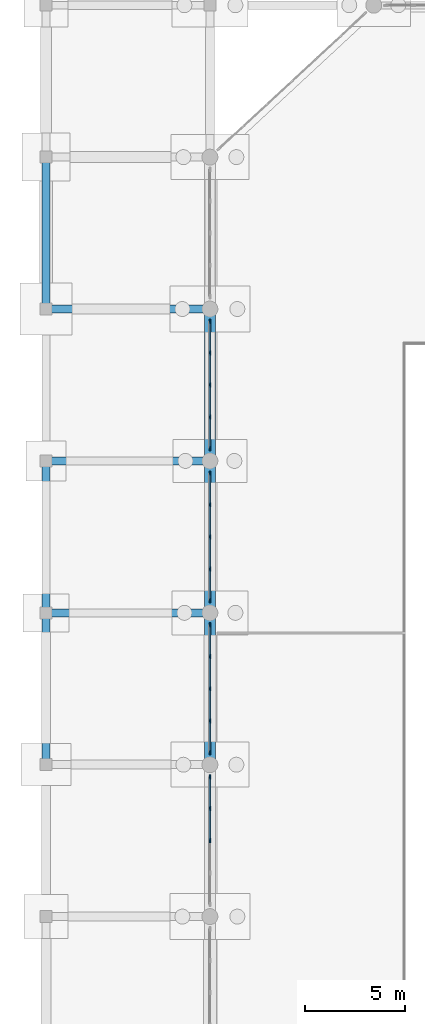
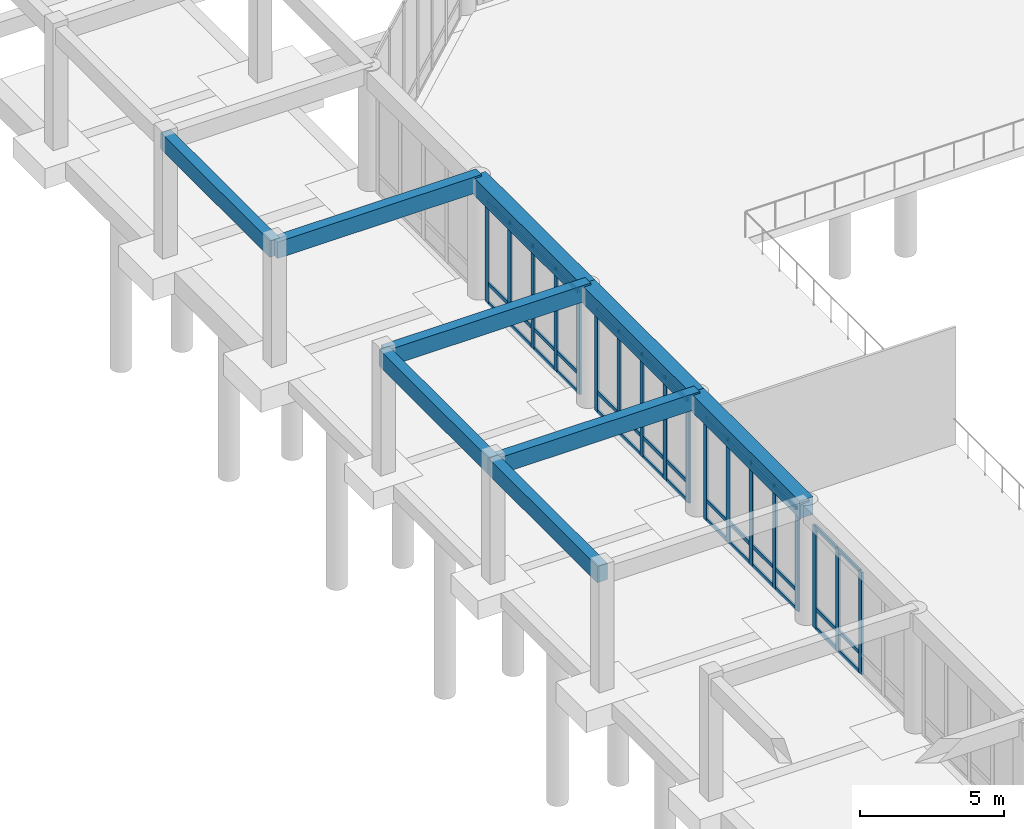
# One storey, part 20 of 64: 60 members, 9 beams, 4 elements without a shape of their own.
"""IFC4 building model written with IfcOpenShell, lengths in metres."""

import ifcopenshell
import ifcopenshell.guid

model = None  # the IFC model being written
_history = None  # IfcOwnerHistory: only IFC2X3 demands one
_inside = {}  # id of a spatial element -> (the spatial element, [elements in it])
_under = {}  # id of a project, library or spatial element -> (it, [spatial elements below it])
_declared = {}  # id of a project -> (the project, [libraries it declares])
_typed = {}  # id of a type object -> (the type object, [elements of that type])
_made_of = {}  # id of a material, layer set ... -> (it, [elements and type objects made of it])


def new_model(schema):
    """Start an empty IFC model of exactly this schema.

    Asked for "IFC4X3", IfcOpenShell would pick the latest addendum, in which some entities
    have other attributes; the version numbers below select the first issue.
    IFC2X3 requires an IfcOwnerHistory on every rooted entity: one is made here for all.
    """
    global model, _history
    if schema == "IFC4X3":
        model = ifcopenshell.file(schema_version=(4, 3, 0, 0))
    else:
        model = ifcopenshell.file(schema=schema)
    _inside.clear()
    _under.clear()
    _declared.clear()
    _typed.clear()
    _made_of.clear()
    _history = None
    if model.schema == "IFC2X3":
        org = make("IfcOrganization", Name="unknown")
        user = make(
            "IfcPersonAndOrganization",
            ThePerson=make("IfcPerson", FamilyName="unknown"),
            TheOrganization=org,
        )
        app = make(
            "IfcApplication",
            ApplicationDeveloper=org,
            Version="unknown",
            ApplicationFullName="unknown",
            ApplicationIdentifier="unknown",
        )
        _history = make(
            "IfcOwnerHistory",
            OwningUser=user,
            OwningApplication=app,
            ChangeAction="ADDED",
            CreationDate=0,
        )
    return model


def make(cls, **values):
    """One entity of the class cls with the attributes given. An attribute that is None is left unset."""
    return model.create_entity(
        cls, **{name: value for name, value in values.items() if value is not None}
    )


def rooted(cls, **values):
    """An entity with a GlobalId (a new one), such as an element, a storey or a relation."""
    return make(cls, GlobalId=ifcopenshell.guid.new(), OwnerHistory=_history, **values)


def si_unit(unit_type, name, prefix=None):
    """IfcSIUnit, for example si_unit("LENGTHUNIT", "METRE", prefix="MILLI")."""
    return make("IfcSIUnit", UnitType=unit_type, Prefix=prefix, Name=name)


def assignment(units):
    """IfcUnitAssignment: the units of a project."""
    return None if units is None else make("IfcUnitAssignment", Units=units)


def point(xyz):
    """IfcCartesianPoint."""
    return None if xyz is None else make("IfcCartesianPoint", Coordinates=xyz)


def direction(xyz):
    """IfcDirection."""
    return None if xyz is None else make("IfcDirection", DirectionRatios=xyz)


def frame(location, z_axis=None, x_axis=None):
    """IfcAxis2Placement3D, a coordinate frame: its origin and axes. An axis left out is left unset."""
    return make(
        "IfcAxis2Placement3D",
        Location=point(location),
        Axis=direction(z_axis),
        RefDirection=direction(x_axis),
    )


def frame_2d(location, x_axis=None):
    """IfcAxis2Placement2D, a coordinate frame in the plane: its origin and x axis."""
    return make(
        "IfcAxis2Placement2D", Location=point(location), RefDirection=direction(x_axis)
    )


def origin():
    """The frame at (0, 0, 0) with its axes left unset."""
    return frame((0.0, 0.0, 0.0))


def origin_2d():
    """The frame at (0, 0) in the plane with its x axis left unset."""
    return frame_2d((0.0, 0.0))


def place(relative_to, where):
    """IfcLocalPlacement: puts the frame where relative to a parent placement (None: the world)."""
    return make(
        "IfcLocalPlacement", PlacementRelTo=relative_to, RelativePlacement=where
    )


def context(
    kind, dimensions, precision=None, world=None, true_north=None, identifier=None
):
    """IfcGeometricRepresentationContext, for example the 3D "Model" context."""
    return make(
        "IfcGeometricRepresentationContext",
        ContextIdentifier=identifier,
        ContextType=kind,
        CoordinateSpaceDimension=dimensions,
        Precision=precision,
        WorldCoordinateSystem=world,
        TrueNorth=true_north,
    )


def subcontext(parent, identifier, kind, view, scale=None):
    """IfcGeometricRepresentationSubContext, for example "Body" below "Model"."""
    return make(
        "IfcGeometricRepresentationSubContext",
        ContextIdentifier=identifier,
        ContextType=kind,
        ParentContext=parent,
        TargetScale=scale,
        TargetView=view,
    )


def project(units=None, contexts=None):
    """IfcProject with its units and contexts."""
    return rooted(
        "IfcProject",
        Name="project",
        RepresentationContexts=contexts,
        UnitsInContext=assignment(units),
    )


def spatial(cls, under=None, at=None, **own):
    """A site, building, storey or space (cls), placed at a placement, below another one or the project."""
    s = rooted(cls, ObjectPlacement=at, **own)
    if under is not None:
        _under.setdefault(under.id(), (under, []))[1].append(s)
    return s


def profile(cls, at=None, kind="AREA", **sizes):
    """A parametric profile (cls). Its sizes go by their IFC names, for example OverallWidth=200.0."""
    return make(cls, ProfileType=kind, Position=at, **sizes)


def rectangle(**sizes):
    """IfcRectangleProfileDef."""
    return profile("IfcRectangleProfileDef", **sizes)


def extrude(swept, where, along, depth):
    """IfcExtrudedAreaSolid: the profile swept, set in the frame where, extruded along a direction by depth."""
    return make(
        "IfcExtrudedAreaSolid",
        SweptArea=swept,
        Position=where,
        ExtrudedDirection=direction(along),
        Depth=depth,
    )


def shape(context_of_items, identifier, shape_type, items):
    """IfcShapeRepresentation: the items that make up one representation, for example the "Body"."""
    return make(
        "IfcShapeRepresentation",
        ContextOfItems=context_of_items,
        RepresentationIdentifier=identifier,
        RepresentationType=shape_type,
        Items=items,
    )


def material(Name=None, Category=None):
    """IfcMaterial."""
    return make("IfcMaterial", Name=Name, Category=Category)


def material_profile(
    of_material, cross_section, Name=None, Category=None, Priority=None
):
    """IfcMaterialProfile: a cross section and its material."""
    return make(
        "IfcMaterialProfile",
        Name=Name,
        Material=of_material,
        Profile=cross_section,
        Priority=Priority,
        Category=Category,
    )


def profile_set(profiles, Name=None, composite=None):
    """IfcMaterialProfileSet."""
    return make(
        "IfcMaterialProfileSet",
        Name=Name,
        MaterialProfiles=profiles,
        CompositeProfile=composite,
    )


def made_of(thing, what):
    """Note that an element or type object is made of a material, layer set ...; save() writes the relation."""
    if what is not None:
        _made_of.setdefault(what.id(), (what, []))[1].append(thing)
    return thing


def type_object(cls, material=None, **own):
    """A type object (cls), such as IfcWallType, which elements share."""
    return made_of(rooted(cls, **own), material)


def element(
    cls,
    number,
    at=None,
    inside=None,
    cuts=None,
    type_object=None,
    material=None,
    context=None,
    identifier="Body",
    shape_type=None,
    held_by="IfcProductDefinitionShape",
    body=None,
    shapes=None,
    **own,
):
    """One element of the class cls, such as IfcWall. Its Tag is "e" and its number.

    at: its placement. inside: the storey or other place that contains it. cuts: it is an
    opening in that element (IfcRelVoidsElement). A single representation is given by context,
    identifier, shape_type and body (its items); several are given by shapes. held_by: the class
    of the entity that holds the representations. save() writes the other relations.
    """
    e = rooted(cls, Tag="e%d" % number, ObjectPlacement=at, **own)
    if body is not None:
        shapes = [shape(context, identifier, shape_type, body)]
    if shapes is not None:
        e.Representation = make(held_by, Representations=shapes)
    if inside is not None:
        _inside.setdefault(inside.id(), (inside, []))[1].append(e)
    if cuts is not None:
        rooted(
            "IfcRelVoidsElement", RelatingBuildingElement=cuts, RelatedOpeningElement=e
        )
    if type_object is not None:
        _typed.setdefault(type_object.id(), (type_object, []))[1].append(e)
    return made_of(e, material)


def aggregate(whole, parts):
    """IfcRelAggregates: a whole, such as a stair, and the parts it consists of."""
    return rooted("IfcRelAggregates", RelatingObject=whole, RelatedObjects=parts)


def save(model, path):
    """Write the relations noted so far, then the file.

    IfcRelAggregates (storeys below a building ...), IfcRelContainedInSpatialStructure (elements
    in a storey), IfcRelDefinesByType, IfcRelAssociatesMaterial and IfcRelDeclares: one each for
    every whole, place, type object, material and project.
    """
    for whole, parts in _under.values():
        aggregate(whole, parts)
    for where, things in _inside.values():
        rooted(
            "IfcRelContainedInSpatialStructure",
            RelatedElements=things,
            RelatingStructure=where,
        )
    for kind, things in _typed.values():
        rooted("IfcRelDefinesByType", RelatedObjects=things, RelatingType=kind)
    for what, things in _made_of.values():
        rooted("IfcRelAssociatesMaterial", RelatedObjects=things, RelatingMaterial=what)
    for by, libraries in _declared.values():
        rooted("IfcRelDeclares", RelatingContext=by, RelatedDefinitions=libraries)
    model.write(path)


model = new_model("IFC4")

# Units and contexts
model_context = context("Model", 3, precision=1e-05, world=origin(), true_north=direction((0.0, 1.0)))
body_context = subcontext(model_context, "Body", "Model", "MODEL_VIEW")
ifc_project = project(units=[si_unit("LENGTHUNIT", "METRE"), si_unit("AREAUNIT", "SQUARE_METRE"), si_unit("VOLUMEUNIT", "CUBIC_METRE"), si_unit("PLANEANGLEUNIT", "RADIAN"), si_unit("MASSUNIT", "GRAM", prefix="KILO")], contexts=[model_context])

# Site, building, storey
site_placement = place(None, origin())
site = spatial("IfcSite", under=ifc_project, at=site_placement, CompositionType="ELEMENT")
building_placement = place(site_placement, origin())
building = spatial("IfcBuilding", under=site, at=building_placement, Name="Qandaris Square Conservatory and Botanical Centre", CompositionType="ELEMENT")
storey_placement = place(building_placement, origin())
storey = spatial("IfcBuildingStorey", under=building, at=storey_placement, Name="L00", CompositionType="ELEMENT", Elevation=0.0)

# Curtain wall, members
ifc_material_1 = material(Name="Anodised Aluminium", Category="aluminium")
curtain_wall_type = type_object("IfcCurtainWallType", Name="Unitised Curtain Wall CW-1-644x435", PredefinedType="USERDEFINED", material=ifc_material_1)
curtain_wall_1_placement = place(storey_placement, origin())
curtain_wall_1 = element("IfcCurtainWall", 1, at=curtain_wall_1_placement, inside=storey, type_object=curtain_wall_type, Name="Curtain Wall CW-CON-L00-7-2", ObjectType="GLAZED CURTAIN WALL", PredefinedType="USERDEFINED")
ifc_material_profile_1 = material_profile(ifc_material_1, rectangle(XDim=0.074951171875, YDim=0.219970703125, at=origin_2d()), Name="ALU-MUL 75x220")
ifc_profile_set_1 = profile_set([ifc_material_profile_1], Name="Anodised Aluminium")
member_type_1 = type_object("IfcMemberType", Name="Conservatory Heavy Mullion 75x220", PredefinedType="MULLION", material=ifc_profile_set_1)
member_1_placement = place(storey_placement, frame((16.199951171875, 99.58251953125, 0.0), z_axis=(0.0, 0.0, 1.0), x_axis=(1.0, 0.0, 0.0)))
member_1 = element("IfcMember", 2, at=member_1_placement, type_object=member_type_1, Name="CW-1-644x435 mullion 1", PredefinedType="MULLION", context=body_context, shape_type="SweptSolid", body=[
    extrude(rectangle(XDim=0.074951171875, YDim=0.219970703125, at=origin_2d()), origin(), (0.0, 0.0, 1.0), 4.35009765625),
])
member_2_placement = place(storey_placement, frame((16.199951171875, 98.010009765625, 0.0), z_axis=(0.0, 0.0, 1.0), x_axis=(1.0, 0.0, 0.0)))
member_2 = element("IfcMember", 3, at=member_2_placement, type_object=member_type_1, Name="CW-1-644x435 mullion 2", PredefinedType="MULLION", context=body_context, shape_type="SweptSolid", body=[
    extrude(rectangle(XDim=0.074951171875, YDim=0.219970703125, at=origin_2d()), origin(), (0.0, 0.0, 1.0), 4.35009765625),
])
member_3_placement = place(storey_placement, frame((16.199951171875, 96.39990234375, 0.0), z_axis=(0.0, 0.0, 1.0), x_axis=(1.0, 0.0, 0.0)))
member_3 = element("IfcMember", 4, at=member_3_placement, type_object=member_type_1, Name="CW-1-644x435 mullion 3", PredefinedType="MULLION", context=body_context, shape_type="SweptSolid", body=[
    extrude(rectangle(XDim=0.074951171875, YDim=0.219970703125, at=origin_2d()), origin(), (0.0, 0.0, 1.0), 4.35009765625),
])
member_4_placement = place(storey_placement, frame((16.199951171875, 94.7900390625, 0.0), z_axis=(0.0, 0.0, 1.0), x_axis=(1.0, 0.0, 0.0)))
member_4 = element("IfcMember", 5, at=member_4_placement, type_object=member_type_1, Name="CW-1-644x435 mullion 4", PredefinedType="MULLION", context=body_context, shape_type="SweptSolid", body=[
    extrude(rectangle(XDim=0.074951171875, YDim=0.219970703125, at=origin_2d()), origin(), (0.0, 0.0, 1.0), 4.35009765625),
])
member_5_placement = place(storey_placement, frame((16.199951171875, 93.217529296875, 0.0), z_axis=(0.0, 0.0, 1.0), x_axis=(1.0, 0.0, 0.0)))
member_5 = element("IfcMember", 6, at=member_5_placement, type_object=member_type_1, Name="CW-1-644x435 mullion 5", PredefinedType="MULLION", context=body_context, shape_type="SweptSolid", body=[
    extrude(rectangle(XDim=0.074951171875, YDim=0.219970703125, at=origin_2d()), origin(), (0.0, 0.0, 1.0), 4.35009765625),
])

curtain_wall_2_placement = place(storey_placement, origin())
curtain_wall_2 = element("IfcCurtainWall", 7, at=curtain_wall_2_placement, inside=storey, type_object=curtain_wall_type, Name="Curtain Wall CW-CON-L00-7-3", ObjectType="GLAZED CURTAIN WALL", PredefinedType="USERDEFINED")
member_6_placement = place(storey_placement, frame((16.199951171875, 91.982421875, 0.0), z_axis=(0.0, 0.0, 1.0), x_axis=(1.0, 0.0, 0.0)))
member_6 = element("IfcMember", 8, at=member_6_placement, type_object=member_type_1, Name="CW-1-644x435 mullion 1", PredefinedType="MULLION", context=body_context, shape_type="SweptSolid", body=[
    extrude(rectangle(XDim=0.074951171875, YDim=0.219970703125, at=origin_2d()), origin(), (0.0, 0.0, 1.0), 4.35009765625),
])
member_7_placement = place(storey_placement, frame((16.199951171875, 90.409912109375, 0.0), z_axis=(0.0, 0.0, 1.0), x_axis=(1.0, 0.0, 0.0)))
member_7 = element("IfcMember", 9, at=member_7_placement, type_object=member_type_1, Name="CW-1-644x435 mullion 2", PredefinedType="MULLION", context=body_context, shape_type="SweptSolid", body=[
    extrude(rectangle(XDim=0.074951171875, YDim=0.219970703125, at=origin_2d()), origin(), (0.0, 0.0, 1.0), 4.35009765625),
])
member_8_placement = place(storey_placement, frame((16.199951171875, 88.800048828125, 0.0), z_axis=(0.0, 0.0, 1.0), x_axis=(1.0, 0.0, 0.0)))
member_8 = element("IfcMember", 10, at=member_8_placement, type_object=member_type_1, Name="CW-1-644x435 mullion 3", PredefinedType="MULLION", context=body_context, shape_type="SweptSolid", body=[
    extrude(rectangle(XDim=0.074951171875, YDim=0.219970703125, at=origin_2d()), origin(), (0.0, 0.0, 1.0), 4.35009765625),
])
member_9_placement = place(storey_placement, frame((16.199951171875, 87.18994140625, 0.0), z_axis=(0.0, 0.0, 1.0), x_axis=(1.0, 0.0, 0.0)))
member_9 = element("IfcMember", 11, at=member_9_placement, type_object=member_type_1, Name="CW-1-644x435 mullion 4", PredefinedType="MULLION", context=body_context, shape_type="SweptSolid", body=[
    extrude(rectangle(XDim=0.074951171875, YDim=0.219970703125, at=origin_2d()), origin(), (0.0, 0.0, 1.0), 4.35009765625),
])
member_10_placement = place(storey_placement, frame((16.199951171875, 85.617431640625, 0.0), z_axis=(0.0, 0.0, 1.0), x_axis=(1.0, 0.0, 0.0)))
member_10 = element("IfcMember", 12, at=member_10_placement, type_object=member_type_1, Name="CW-1-644x435 mullion 5", PredefinedType="MULLION", context=body_context, shape_type="SweptSolid", body=[
    extrude(rectangle(XDim=0.074951171875, YDim=0.219970703125, at=origin_2d()), origin(), (0.0, 0.0, 1.0), 4.35009765625),
])

curtain_wall_3_placement = place(storey_placement, origin())
curtain_wall_3 = element("IfcCurtainWall", 13, at=curtain_wall_3_placement, inside=storey, type_object=curtain_wall_type, Name="Curtain Wall CW-CON-L00-7-4", ObjectType="GLAZED CURTAIN WALL", PredefinedType="USERDEFINED")
member_11_placement = place(storey_placement, frame((16.199951171875, 84.382568359375, 0.0), z_axis=(0.0, 0.0, 1.0), x_axis=(1.0, 0.0, 0.0)))
member_11 = element("IfcMember", 14, at=member_11_placement, type_object=member_type_1, Name="CW-1-644x435 mullion 1", PredefinedType="MULLION", context=body_context, shape_type="SweptSolid", body=[
    extrude(rectangle(XDim=0.074951171875, YDim=0.219970703125, at=origin_2d()), origin(), (0.0, 0.0, 1.0), 4.35009765625),
])
member_12_placement = place(storey_placement, frame((16.199951171875, 82.81005859375, 0.0), z_axis=(0.0, 0.0, 1.0), x_axis=(1.0, 0.0, 0.0)))
member_12 = element("IfcMember", 15, at=member_12_placement, type_object=member_type_1, Name="CW-1-644x435 mullion 2", PredefinedType="MULLION", context=body_context, shape_type="SweptSolid", body=[
    extrude(rectangle(XDim=0.074951171875, YDim=0.219970703125, at=origin_2d()), origin(), (0.0, 0.0, 1.0), 4.35009765625),
])
member_13_placement = place(storey_placement, frame((16.199951171875, 81.199951171875, 0.0), z_axis=(0.0, 0.0, 1.0), x_axis=(1.0, 0.0, 0.0)))
member_13 = element("IfcMember", 16, at=member_13_placement, type_object=member_type_1, Name="CW-1-644x435 mullion 3", PredefinedType="MULLION", context=body_context, shape_type="SweptSolid", body=[
    extrude(rectangle(XDim=0.074951171875, YDim=0.219970703125, at=origin_2d()), origin(), (0.0, 0.0, 1.0), 4.35009765625),
])
member_14_placement = place(storey_placement, frame((16.199951171875, 79.590087890625, 0.0), z_axis=(0.0, 0.0, 1.0), x_axis=(1.0, 0.0, 0.0)))
member_14 = element("IfcMember", 17, at=member_14_placement, type_object=member_type_1, Name="CW-1-644x435 mullion 4", PredefinedType="MULLION", context=body_context, shape_type="SweptSolid", body=[
    extrude(rectangle(XDim=0.074951171875, YDim=0.219970703125, at=origin_2d()), origin(), (0.0, 0.0, 1.0), 4.35009765625),
])
member_15_placement = place(storey_placement, frame((16.199951171875, 78.017578125, 0.0), z_axis=(0.0, 0.0, 1.0), x_axis=(1.0, 0.0, 0.0)))
member_15 = element("IfcMember", 18, at=member_15_placement, type_object=member_type_1, Name="CW-1-644x435 mullion 5", PredefinedType="MULLION", context=body_context, shape_type="SweptSolid", body=[
    extrude(rectangle(XDim=0.074951171875, YDim=0.219970703125, at=origin_2d()), origin(), (0.0, 0.0, 1.0), 4.35009765625),
])

curtain_wall_4_placement = place(storey_placement, origin())
curtain_wall_4 = element("IfcCurtainWall", 19, at=curtain_wall_4_placement, inside=storey, type_object=curtain_wall_type, Name="Curtain Wall CW-CON-L00-7-5", ObjectType="GLAZED CURTAIN WALL", PredefinedType="USERDEFINED")
member_16_placement = place(storey_placement, frame((16.199951171875, 76.782470703125, 0.0), z_axis=(0.0, 0.0, 1.0), x_axis=(1.0, 0.0, 0.0)))
member_16 = element("IfcMember", 20, at=member_16_placement, type_object=member_type_1, Name="CW-1-644x435 mullion 1", PredefinedType="MULLION", context=body_context, shape_type="SweptSolid", body=[
    extrude(rectangle(XDim=0.074951171875, YDim=0.219970703125, at=origin_2d()), origin(), (0.0, 0.0, 1.0), 4.35009765625),
])
member_17_placement = place(storey_placement, frame((16.199951171875, 75.2099609375, 0.0), z_axis=(0.0, 0.0, 1.0), x_axis=(1.0, 0.0, 0.0)))
member_17 = element("IfcMember", 21, at=member_17_placement, type_object=member_type_1, Name="CW-1-644x435 mullion 2", PredefinedType="MULLION", context=body_context, shape_type="SweptSolid", body=[
    extrude(rectangle(XDim=0.074951171875, YDim=0.219970703125, at=origin_2d()), origin(), (0.0, 0.0, 1.0), 4.35009765625),
])
member_18_placement = place(storey_placement, frame((16.199951171875, 73.60009765625, 0.0), z_axis=(0.0, 0.0, 1.0), x_axis=(1.0, 0.0, 0.0)))
member_18 = element("IfcMember", 22, at=member_18_placement, type_object=member_type_1, Name="CW-1-644x435 mullion 3", PredefinedType="MULLION", context=body_context, shape_type="SweptSolid", body=[
    extrude(rectangle(XDim=0.074951171875, YDim=0.219970703125, at=origin_2d()), origin(), (0.0, 0.0, 1.0), 4.35009765625),
])

# Member
ifc_material_profile_2 = material_profile(ifc_material_1, rectangle(XDim=0.074951171875, YDim=0.159912109375, at=origin_2d()), Name="ALU-TRN 75x160")
ifc_profile_set_2 = profile_set([ifc_material_profile_2], Name="Anodised Aluminium")
member_type_2 = type_object("IfcMemberType", Name="Conservatory Heavy Transom 75x160", PredefinedType="USERDEFINED", material=ifc_profile_set_2)
member_19_placement = place(storey_placement, frame((16.199951171875, 99.544921875, 0.03759765625), z_axis=(0.0, -1.0, 0.0), x_axis=(1.0, 0.0, 0.0)))
member_19 = element("IfcMember", 23, at=member_19_placement, type_object=member_type_2, Name="CW-1-644x435 transom 1.1", ObjectType="TRANSOM", PredefinedType="USERDEFINED", context=body_context, shape_type="SweptSolid", body=[
    extrude(rectangle(XDim=0.074951171875, YDim=0.159912109375, at=origin_2d()), origin(), (0.0, 0.0, 1.0), 1.497314453125),
])

member_20_placement = place(storey_placement, frame((16.199951171875, 99.544921875, 0.85009765625), z_axis=(0.0, -1.0, 0.0), x_axis=(1.0, 0.0, 0.0)))
member_20 = element("IfcMember", 24, at=member_20_placement, type_object=member_type_2, Name="CW-1-644x435 transom 1.2", ObjectType="TRANSOM", PredefinedType="USERDEFINED", context=body_context, shape_type="SweptSolid", body=[
    extrude(rectangle(XDim=0.074951171875, YDim=0.159912109375, at=origin_2d()), origin(), (0.0, 0.0, 1.0), 1.497314453125),
])

member_21_placement = place(storey_placement, frame((16.199951171875, 99.544921875, 4.3125), z_axis=(0.0, -1.0, 0.0), x_axis=(1.0, 0.0, 0.0)))
member_21 = element("IfcMember", 25, at=member_21_placement, type_object=member_type_2, Name="CW-1-644x435 transom 1.3", ObjectType="TRANSOM", PredefinedType="USERDEFINED", context=body_context, shape_type="SweptSolid", body=[
    extrude(rectangle(XDim=0.074951171875, YDim=0.159912109375, at=origin_2d()), origin(), (0.0, 0.0, 1.0), 1.497314453125),
])

member_22_placement = place(storey_placement, frame((16.199951171875, 97.972412109375, 0.03759765625), z_axis=(0.0, -1.0, 0.0), x_axis=(1.0, 0.0, 0.0)))
member_22 = element("IfcMember", 26, at=member_22_placement, type_object=member_type_2, Name="CW-1-644x435 transom 2.1", ObjectType="TRANSOM", PredefinedType="USERDEFINED", context=body_context, shape_type="SweptSolid", body=[
    extrude(rectangle(XDim=0.074951171875, YDim=0.159912109375, at=origin_2d()), origin(), (0.0, 0.0, 1.0), 1.534912109375),
])

member_23_placement = place(storey_placement, frame((16.199951171875, 97.972412109375, 0.85009765625), z_axis=(0.0, -1.0, 0.0), x_axis=(1.0, 0.0, 0.0)))
member_23 = element("IfcMember", 27, at=member_23_placement, type_object=member_type_2, Name="CW-1-644x435 transom 2.2", ObjectType="TRANSOM", PredefinedType="USERDEFINED", context=body_context, shape_type="SweptSolid", body=[
    extrude(rectangle(XDim=0.074951171875, YDim=0.159912109375, at=origin_2d()), origin(), (0.0, 0.0, 1.0), 1.534912109375),
])

member_24_placement = place(storey_placement, frame((16.199951171875, 97.972412109375, 4.3125), z_axis=(0.0, -1.0, 0.0), x_axis=(1.0, 0.0, 0.0)))
member_24 = element("IfcMember", 28, at=member_24_placement, type_object=member_type_2, Name="CW-1-644x435 transom 2.3", ObjectType="TRANSOM", PredefinedType="USERDEFINED", context=body_context, shape_type="SweptSolid", body=[
    extrude(rectangle(XDim=0.074951171875, YDim=0.159912109375, at=origin_2d()), origin(), (0.0, 0.0, 1.0), 1.534912109375),
])

member_25_placement = place(storey_placement, frame((16.199951171875, 96.362548828125, 0.03759765625), z_axis=(0.0, -1.0, 0.0), x_axis=(1.0, 0.0, 0.0)))
member_25 = element("IfcMember", 29, at=member_25_placement, type_object=member_type_2, Name="CW-1-644x435 transom 3.1", ObjectType="TRANSOM", PredefinedType="USERDEFINED", context=body_context, shape_type="SweptSolid", body=[
    extrude(rectangle(XDim=0.074951171875, YDim=0.159912109375, at=origin_2d()), origin(), (0.0, 0.0, 1.0), 1.53515625),
])

member_26_placement = place(storey_placement, frame((16.199951171875, 96.362548828125, 0.85009765625), z_axis=(0.0, -1.0, 0.0), x_axis=(1.0, 0.0, 0.0)))
member_26 = element("IfcMember", 30, at=member_26_placement, type_object=member_type_2, Name="CW-1-644x435 transom 3.2", ObjectType="TRANSOM", PredefinedType="USERDEFINED", context=body_context, shape_type="SweptSolid", body=[
    extrude(rectangle(XDim=0.074951171875, YDim=0.159912109375, at=origin_2d()), origin(), (0.0, 0.0, 1.0), 1.53515625),
])

member_27_placement = place(storey_placement, frame((16.199951171875, 96.362548828125, 4.3125), z_axis=(0.0, -1.0, 0.0), x_axis=(1.0, 0.0, 0.0)))
member_27 = element("IfcMember", 31, at=member_27_placement, type_object=member_type_2, Name="CW-1-644x435 transom 3.3", ObjectType="TRANSOM", PredefinedType="USERDEFINED", context=body_context, shape_type="SweptSolid", body=[
    extrude(rectangle(XDim=0.074951171875, YDim=0.159912109375, at=origin_2d()), origin(), (0.0, 0.0, 1.0), 1.53515625),
])

member_28_placement = place(storey_placement, frame((16.199951171875, 94.75244140625, 0.03759765625), z_axis=(0.0, -1.0, 0.0), x_axis=(1.0, 0.0, 0.0)))
member_28 = element("IfcMember", 32, at=member_28_placement, type_object=member_type_2, Name="CW-1-644x435 transom 4.1", ObjectType="TRANSOM", PredefinedType="USERDEFINED", context=body_context, shape_type="SweptSolid", body=[
    extrude(rectangle(XDim=0.074951171875, YDim=0.159912109375, at=origin_2d()), origin(), (0.0, 0.0, 1.0), 1.49755859375),
])

member_29_placement = place(storey_placement, frame((16.199951171875, 94.75244140625, 0.85009765625), z_axis=(0.0, -1.0, 0.0), x_axis=(1.0, 0.0, 0.0)))
member_29 = element("IfcMember", 33, at=member_29_placement, type_object=member_type_2, Name="CW-1-644x435 transom 4.2", ObjectType="TRANSOM", PredefinedType="USERDEFINED", context=body_context, shape_type="SweptSolid", body=[
    extrude(rectangle(XDim=0.074951171875, YDim=0.159912109375, at=origin_2d()), origin(), (0.0, 0.0, 1.0), 1.49755859375),
])

member_30_placement = place(storey_placement, frame((16.199951171875, 94.75244140625, 4.3125), z_axis=(0.0, -1.0, 0.0), x_axis=(1.0, 0.0, 0.0)))
member_30 = element("IfcMember", 34, at=member_30_placement, type_object=member_type_2, Name="CW-1-644x435 transom 4.3", ObjectType="TRANSOM", PredefinedType="USERDEFINED", context=body_context, shape_type="SweptSolid", body=[
    extrude(rectangle(XDim=0.074951171875, YDim=0.159912109375, at=origin_2d()), origin(), (0.0, 0.0, 1.0), 1.49755859375),
])

aggregate(curtain_wall_1, [member_1, member_2, member_3, member_4, member_5, member_19, member_20, member_21, member_22, member_23, member_24, member_25, member_26, member_27, member_28, member_29, member_30])

member_31_placement = place(storey_placement, frame((16.199951171875, 91.945068359375, 0.03759765625), z_axis=(0.0, -1.0, 0.0), x_axis=(1.0, 0.0, 0.0)))
member_31 = element("IfcMember", 35, at=member_31_placement, type_object=member_type_2, Name="CW-1-644x435 transom 1.1", ObjectType="TRANSOM", PredefinedType="USERDEFINED", context=body_context, shape_type="SweptSolid", body=[
    extrude(rectangle(XDim=0.074951171875, YDim=0.159912109375, at=origin_2d()), origin(), (0.0, 0.0, 1.0), 1.49755859375),
])

member_32_placement = place(storey_placement, frame((16.199951171875, 91.945068359375, 0.85009765625), z_axis=(0.0, -1.0, 0.0), x_axis=(1.0, 0.0, 0.0)))
member_32 = element("IfcMember", 36, at=member_32_placement, type_object=member_type_2, Name="CW-1-644x435 transom 1.2", ObjectType="TRANSOM", PredefinedType="USERDEFINED", context=body_context, shape_type="SweptSolid", body=[
    extrude(rectangle(XDim=0.074951171875, YDim=0.159912109375, at=origin_2d()), origin(), (0.0, 0.0, 1.0), 1.49755859375),
])

member_33_placement = place(storey_placement, frame((16.199951171875, 91.945068359375, 4.3125), z_axis=(0.0, -1.0, 0.0), x_axis=(1.0, 0.0, 0.0)))
member_33 = element("IfcMember", 37, at=member_33_placement, type_object=member_type_2, Name="CW-1-644x435 transom 1.3", ObjectType="TRANSOM", PredefinedType="USERDEFINED", context=body_context, shape_type="SweptSolid", body=[
    extrude(rectangle(XDim=0.074951171875, YDim=0.159912109375, at=origin_2d()), origin(), (0.0, 0.0, 1.0), 1.49755859375),
])

member_34_placement = place(storey_placement, frame((16.199951171875, 90.37255859375, 0.03759765625), z_axis=(0.0, -1.0, 0.0), x_axis=(1.0, 0.0, 0.0)))
member_34 = element("IfcMember", 38, at=member_34_placement, type_object=member_type_2, Name="CW-1-644x435 transom 2.1", ObjectType="TRANSOM", PredefinedType="USERDEFINED", context=body_context, shape_type="SweptSolid", body=[
    extrude(rectangle(XDim=0.074951171875, YDim=0.159912109375, at=origin_2d()), origin(), (0.0, 0.0, 1.0), 1.53515625),
])

member_35_placement = place(storey_placement, frame((16.199951171875, 90.37255859375, 0.85009765625), z_axis=(0.0, -1.0, 0.0), x_axis=(1.0, 0.0, 0.0)))
member_35 = element("IfcMember", 39, at=member_35_placement, type_object=member_type_2, Name="CW-1-644x435 transom 2.2", ObjectType="TRANSOM", PredefinedType="USERDEFINED", context=body_context, shape_type="SweptSolid", body=[
    extrude(rectangle(XDim=0.074951171875, YDim=0.159912109375, at=origin_2d()), origin(), (0.0, 0.0, 1.0), 1.53515625),
])

member_36_placement = place(storey_placement, frame((16.199951171875, 90.37255859375, 4.3125), z_axis=(0.0, -1.0, 0.0), x_axis=(1.0, 0.0, 0.0)))
member_36 = element("IfcMember", 40, at=member_36_placement, type_object=member_type_2, Name="CW-1-644x435 transom 2.3", ObjectType="TRANSOM", PredefinedType="USERDEFINED", context=body_context, shape_type="SweptSolid", body=[
    extrude(rectangle(XDim=0.074951171875, YDim=0.159912109375, at=origin_2d()), origin(), (0.0, 0.0, 1.0), 1.53515625),
])

member_37_placement = place(storey_placement, frame((16.199951171875, 88.762451171875, 0.03759765625), z_axis=(0.0, -1.0, 0.0), x_axis=(1.0, 0.0, 0.0)))
member_37 = element("IfcMember", 41, at=member_37_placement, type_object=member_type_2, Name="CW-1-644x435 transom 3.1", ObjectType="TRANSOM", PredefinedType="USERDEFINED", context=body_context, shape_type="SweptSolid", body=[
    extrude(rectangle(XDim=0.074951171875, YDim=0.159912109375, at=origin_2d()), origin(), (0.0, 0.0, 1.0), 1.534912109375),
])

member_38_placement = place(storey_placement, frame((16.199951171875, 88.762451171875, 0.85009765625), z_axis=(0.0, -1.0, 0.0), x_axis=(1.0, 0.0, 0.0)))
member_38 = element("IfcMember", 42, at=member_38_placement, type_object=member_type_2, Name="CW-1-644x435 transom 3.2", ObjectType="TRANSOM", PredefinedType="USERDEFINED", context=body_context, shape_type="SweptSolid", body=[
    extrude(rectangle(XDim=0.074951171875, YDim=0.159912109375, at=origin_2d()), origin(), (0.0, 0.0, 1.0), 1.534912109375),
])

member_39_placement = place(storey_placement, frame((16.199951171875, 88.762451171875, 4.3125), z_axis=(0.0, -1.0, 0.0), x_axis=(1.0, 0.0, 0.0)))
member_39 = element("IfcMember", 43, at=member_39_placement, type_object=member_type_2, Name="CW-1-644x435 transom 3.3", ObjectType="TRANSOM", PredefinedType="USERDEFINED", context=body_context, shape_type="SweptSolid", body=[
    extrude(rectangle(XDim=0.074951171875, YDim=0.159912109375, at=origin_2d()), origin(), (0.0, 0.0, 1.0), 1.534912109375),
])

member_40_placement = place(storey_placement, frame((16.199951171875, 87.152587890625, 0.03759765625), z_axis=(0.0, -1.0, 0.0), x_axis=(1.0, 0.0, 0.0)))
member_40 = element("IfcMember", 44, at=member_40_placement, type_object=member_type_2, Name="CW-1-644x435 transom 4.1", ObjectType="TRANSOM", PredefinedType="USERDEFINED", context=body_context, shape_type="SweptSolid", body=[
    extrude(rectangle(XDim=0.074951171875, YDim=0.159912109375, at=origin_2d()), origin(), (0.0, 0.0, 1.0), 1.49755859375),
])

member_41_placement = place(storey_placement, frame((16.199951171875, 87.152587890625, 0.85009765625), z_axis=(0.0, -1.0, 0.0), x_axis=(1.0, 0.0, 0.0)))
member_41 = element("IfcMember", 45, at=member_41_placement, type_object=member_type_2, Name="CW-1-644x435 transom 4.2", ObjectType="TRANSOM", PredefinedType="USERDEFINED", context=body_context, shape_type="SweptSolid", body=[
    extrude(rectangle(XDim=0.074951171875, YDim=0.159912109375, at=origin_2d()), origin(), (0.0, 0.0, 1.0), 1.49755859375),
])

member_42_placement = place(storey_placement, frame((16.199951171875, 87.152587890625, 4.3125), z_axis=(0.0, -1.0, 0.0), x_axis=(1.0, 0.0, 0.0)))
member_42 = element("IfcMember", 46, at=member_42_placement, type_object=member_type_2, Name="CW-1-644x435 transom 4.3", ObjectType="TRANSOM", PredefinedType="USERDEFINED", context=body_context, shape_type="SweptSolid", body=[
    extrude(rectangle(XDim=0.074951171875, YDim=0.159912109375, at=origin_2d()), origin(), (0.0, 0.0, 1.0), 1.49755859375),
])

aggregate(curtain_wall_2, [member_6, member_7, member_8, member_9, member_10, member_31, member_32, member_33, member_34, member_35, member_36, member_37, member_38, member_39, member_40, member_41, member_42])

member_43_placement = place(storey_placement, frame((16.199951171875, 84.344970703125, 0.03759765625), z_axis=(0.0, -1.0, 0.0), x_axis=(1.0, 0.0, 0.0)))
member_43 = element("IfcMember", 47, at=member_43_placement, type_object=member_type_2, Name="CW-1-644x435 transom 1.1", ObjectType="TRANSOM", PredefinedType="USERDEFINED", context=body_context, shape_type="SweptSolid", body=[
    extrude(rectangle(XDim=0.074951171875, YDim=0.159912109375, at=origin_2d()), origin(), (0.0, 0.0, 1.0), 1.49755859375),
])

member_44_placement = place(storey_placement, frame((16.199951171875, 84.344970703125, 0.85009765625), z_axis=(0.0, -1.0, 0.0), x_axis=(1.0, 0.0, 0.0)))
member_44 = element("IfcMember", 48, at=member_44_placement, type_object=member_type_2, Name="CW-1-644x435 transom 1.2", ObjectType="TRANSOM", PredefinedType="USERDEFINED", context=body_context, shape_type="SweptSolid", body=[
    extrude(rectangle(XDim=0.074951171875, YDim=0.159912109375, at=origin_2d()), origin(), (0.0, 0.0, 1.0), 1.49755859375),
])

member_45_placement = place(storey_placement, frame((16.199951171875, 84.344970703125, 4.3125), z_axis=(0.0, -1.0, 0.0), x_axis=(1.0, 0.0, 0.0)))
member_45 = element("IfcMember", 49, at=member_45_placement, type_object=member_type_2, Name="CW-1-644x435 transom 1.3", ObjectType="TRANSOM", PredefinedType="USERDEFINED", context=body_context, shape_type="SweptSolid", body=[
    extrude(rectangle(XDim=0.074951171875, YDim=0.159912109375, at=origin_2d()), origin(), (0.0, 0.0, 1.0), 1.49755859375),
])

member_46_placement = place(storey_placement, frame((16.199951171875, 82.7724609375, 0.03759765625), z_axis=(0.0, -1.0, 0.0), x_axis=(1.0, 0.0, 0.0)))
member_46 = element("IfcMember", 50, at=member_46_placement, type_object=member_type_2, Name="CW-1-644x435 transom 2.1", ObjectType="TRANSOM", PredefinedType="USERDEFINED", context=body_context, shape_type="SweptSolid", body=[
    extrude(rectangle(XDim=0.074951171875, YDim=0.159912109375, at=origin_2d()), origin(), (0.0, 0.0, 1.0), 1.534912109375),
])

member_47_placement = place(storey_placement, frame((16.199951171875, 82.7724609375, 0.85009765625), z_axis=(0.0, -1.0, 0.0), x_axis=(1.0, 0.0, 0.0)))
member_47 = element("IfcMember", 51, at=member_47_placement, type_object=member_type_2, Name="CW-1-644x435 transom 2.2", ObjectType="TRANSOM", PredefinedType="USERDEFINED", context=body_context, shape_type="SweptSolid", body=[
    extrude(rectangle(XDim=0.074951171875, YDim=0.159912109375, at=origin_2d()), origin(), (0.0, 0.0, 1.0), 1.534912109375),
])

member_48_placement = place(storey_placement, frame((16.199951171875, 82.7724609375, 4.3125), z_axis=(0.0, -1.0, 0.0), x_axis=(1.0, 0.0, 0.0)))
member_48 = element("IfcMember", 52, at=member_48_placement, type_object=member_type_2, Name="CW-1-644x435 transom 2.3", ObjectType="TRANSOM", PredefinedType="USERDEFINED", context=body_context, shape_type="SweptSolid", body=[
    extrude(rectangle(XDim=0.074951171875, YDim=0.159912109375, at=origin_2d()), origin(), (0.0, 0.0, 1.0), 1.534912109375),
])

member_49_placement = place(storey_placement, frame((16.199951171875, 81.16259765625, 0.03759765625), z_axis=(0.0, -1.0, 0.0), x_axis=(1.0, 0.0, 0.0)))
member_49 = element("IfcMember", 53, at=member_49_placement, type_object=member_type_2, Name="CW-1-644x435 transom 3.1", ObjectType="TRANSOM", PredefinedType="USERDEFINED", context=body_context, shape_type="SweptSolid", body=[
    extrude(rectangle(XDim=0.074951171875, YDim=0.159912109375, at=origin_2d()), origin(), (0.0, 0.0, 1.0), 1.53515625),
])

member_50_placement = place(storey_placement, frame((16.199951171875, 81.16259765625, 0.85009765625), z_axis=(0.0, -1.0, 0.0), x_axis=(1.0, 0.0, 0.0)))
member_50 = element("IfcMember", 54, at=member_50_placement, type_object=member_type_2, Name="CW-1-644x435 transom 3.2", ObjectType="TRANSOM", PredefinedType="USERDEFINED", context=body_context, shape_type="SweptSolid", body=[
    extrude(rectangle(XDim=0.074951171875, YDim=0.159912109375, at=origin_2d()), origin(), (0.0, 0.0, 1.0), 1.53515625),
])

member_51_placement = place(storey_placement, frame((16.199951171875, 81.16259765625, 4.3125), z_axis=(0.0, -1.0, 0.0), x_axis=(1.0, 0.0, 0.0)))
member_51 = element("IfcMember", 55, at=member_51_placement, type_object=member_type_2, Name="CW-1-644x435 transom 3.3", ObjectType="TRANSOM", PredefinedType="USERDEFINED", context=body_context, shape_type="SweptSolid", body=[
    extrude(rectangle(XDim=0.074951171875, YDim=0.159912109375, at=origin_2d()), origin(), (0.0, 0.0, 1.0), 1.53515625),
])

member_52_placement = place(storey_placement, frame((16.199951171875, 79.552490234375, 0.03759765625), z_axis=(0.0, -1.0, 0.0), x_axis=(1.0, 0.0, 0.0)))
member_52 = element("IfcMember", 56, at=member_52_placement, type_object=member_type_2, Name="CW-1-644x435 transom 4.1", ObjectType="TRANSOM", PredefinedType="USERDEFINED", context=body_context, shape_type="SweptSolid", body=[
    extrude(rectangle(XDim=0.074951171875, YDim=0.159912109375, at=origin_2d()), origin(), (0.0, 0.0, 1.0), 1.49755859375),
])

member_53_placement = place(storey_placement, frame((16.199951171875, 79.552490234375, 0.85009765625), z_axis=(0.0, -1.0, 0.0), x_axis=(1.0, 0.0, 0.0)))
member_53 = element("IfcMember", 57, at=member_53_placement, type_object=member_type_2, Name="CW-1-644x435 transom 4.2", ObjectType="TRANSOM", PredefinedType="USERDEFINED", context=body_context, shape_type="SweptSolid", body=[
    extrude(rectangle(XDim=0.074951171875, YDim=0.159912109375, at=origin_2d()), origin(), (0.0, 0.0, 1.0), 1.49755859375),
])

member_54_placement = place(storey_placement, frame((16.199951171875, 79.552490234375, 4.3125), z_axis=(0.0, -1.0, 0.0), x_axis=(1.0, 0.0, 0.0)))
member_54 = element("IfcMember", 58, at=member_54_placement, type_object=member_type_2, Name="CW-1-644x435 transom 4.3", ObjectType="TRANSOM", PredefinedType="USERDEFINED", context=body_context, shape_type="SweptSolid", body=[
    extrude(rectangle(XDim=0.074951171875, YDim=0.159912109375, at=origin_2d()), origin(), (0.0, 0.0, 1.0), 1.49755859375),
])

aggregate(curtain_wall_3, [member_11, member_12, member_13, member_14, member_15, member_43, member_44, member_45, member_46, member_47, member_48, member_49, member_50, member_51, member_52, member_53, member_54])

member_55_placement = place(storey_placement, frame((16.199951171875, 76.7451171875, 0.03759765625), z_axis=(0.0, -1.0, 0.0), x_axis=(1.0, 0.0, 0.0)))
member_55 = element("IfcMember", 59, at=member_55_placement, type_object=member_type_2, Name="CW-1-644x435 transom 1.1", ObjectType="TRANSOM", PredefinedType="USERDEFINED", context=body_context, shape_type="SweptSolid", body=[
    extrude(rectangle(XDim=0.074951171875, YDim=0.159912109375, at=origin_2d()), origin(), (0.0, 0.0, 1.0), 1.49755859375),
])

member_56_placement = place(storey_placement, frame((16.199951171875, 76.7451171875, 0.85009765625), z_axis=(0.0, -1.0, 0.0), x_axis=(1.0, 0.0, 0.0)))
member_56 = element("IfcMember", 60, at=member_56_placement, type_object=member_type_2, Name="CW-1-644x435 transom 1.2", ObjectType="TRANSOM", PredefinedType="USERDEFINED", context=body_context, shape_type="SweptSolid", body=[
    extrude(rectangle(XDim=0.074951171875, YDim=0.159912109375, at=origin_2d()), origin(), (0.0, 0.0, 1.0), 1.49755859375),
])

member_57_placement = place(storey_placement, frame((16.199951171875, 76.7451171875, 4.3125), z_axis=(0.0, -1.0, 0.0), x_axis=(1.0, 0.0, 0.0)))
member_57 = element("IfcMember", 61, at=member_57_placement, type_object=member_type_2, Name="CW-1-644x435 transom 1.3", ObjectType="TRANSOM", PredefinedType="USERDEFINED", context=body_context, shape_type="SweptSolid", body=[
    extrude(rectangle(XDim=0.074951171875, YDim=0.159912109375, at=origin_2d()), origin(), (0.0, 0.0, 1.0), 1.49755859375),
])

member_58_placement = place(storey_placement, frame((16.199951171875, 75.172607421875, 0.03759765625), z_axis=(0.0, -1.0, 0.0), x_axis=(1.0, 0.0, 0.0)))
member_58 = element("IfcMember", 62, at=member_58_placement, type_object=member_type_2, Name="CW-1-644x435 transom 2.1", ObjectType="TRANSOM", PredefinedType="USERDEFINED", context=body_context, shape_type="SweptSolid", body=[
    extrude(rectangle(XDim=0.074951171875, YDim=0.159912109375, at=origin_2d()), origin(), (0.0, 0.0, 1.0), 1.53515625),
])

member_59_placement = place(storey_placement, frame((16.199951171875, 75.172607421875, 0.85009765625), z_axis=(0.0, -1.0, 0.0), x_axis=(1.0, 0.0, 0.0)))
member_59 = element("IfcMember", 63, at=member_59_placement, type_object=member_type_2, Name="CW-1-644x435 transom 2.2", ObjectType="TRANSOM", PredefinedType="USERDEFINED", context=body_context, shape_type="SweptSolid", body=[
    extrude(rectangle(XDim=0.074951171875, YDim=0.159912109375, at=origin_2d()), origin(), (0.0, 0.0, 1.0), 1.53515625),
])

member_60_placement = place(storey_placement, frame((16.199951171875, 75.172607421875, 4.3125), z_axis=(0.0, -1.0, 0.0), x_axis=(1.0, 0.0, 0.0)))
member_60 = element("IfcMember", 64, at=member_60_placement, type_object=member_type_2, Name="CW-1-644x435 transom 2.3", ObjectType="TRANSOM", PredefinedType="USERDEFINED", context=body_context, shape_type="SweptSolid", body=[
    extrude(rectangle(XDim=0.074951171875, YDim=0.159912109375, at=origin_2d()), origin(), (0.0, 0.0, 1.0), 1.53515625),
])

aggregate(curtain_wall_4, [member_16, member_17, member_18, member_55, member_56, member_57, member_58, member_59, member_60])

# Beams
ifc_material_2 = material(Name="Concrete C50/60", Category="concrete")
ifc_material_profile_3 = material_profile(ifc_material_2, rectangle(XDim=0.39990234375, YDim=0.699951171875, at=origin_2d()), Name="RC-SP 400x700")
ifc_profile_set_3 = profile_set([ifc_material_profile_3], Name="Concrete C50/60")
beam_type_1 = type_object("IfcBeamType", Name="RC Colonnade Spandrel Beam 400x700", PredefinedType="SPANDREL", material=ifc_profile_set_3)
for number, where, z_axis, x_axis, name in (
    (65, (8.0, 85.0, 4.824951171875), (1.0, 0.0, 0.0), (0.0, 1.0, 0.0), "L00 Frame Beam 0434"),
    (66, (8.0, 92.60009765625, 4.824951171875), (1.0, 0.0, 0.0), (0.0, 1.0, 0.0), "L00 Frame Beam 0442"),
    (67, (8.0, 100.199951171875, 4.824951171875), (1.0, 0.0, 0.0), (0.0, 1.0, 0.0), "L00 Frame Beam 0457"),
):
    element("IfcBeam", number, at=place(storey_placement, frame(where, z_axis=z_axis, x_axis=x_axis)), inside=storey, type_object=beam_type_1, Name=name, PredefinedType="SPANDREL", context=body_context, shape_type="SweptSolid", body=[
        extrude(rectangle(XDim=0.39990234375, YDim=0.699951171875, at=origin_2d()), origin(), (0.0, 0.0, 1.0), 8.199951171875),
    ])
for number, where, z_axis, x_axis, name in (
    (68, (8.0, 77.39990234375, 4.824951171875), (0.0, 1.0, 0.0), (-1.0, 0.0, 0.0), "L00 Frame Beam 0510"),
    (69, (8.0, 85.0, 4.824951171875), (0.0, 1.0, 0.0), (-1.0, 0.0, 0.0), "L00 Frame Beam 0511"),
    (70, (8.0, 100.199951171875, 4.824951171875), (0.0, 1.0, 0.0), (-1.0, 0.0, 0.0), "L00 Frame Beam 0512"),
):
    element("IfcBeam", number, at=place(storey_placement, frame(where, z_axis=z_axis, x_axis=x_axis)), inside=storey, type_object=beam_type_1, Name=name, PredefinedType="SPANDREL", context=body_context, shape_type="SweptSolid", body=[
        extrude(rectangle(XDim=0.39990234375, YDim=0.699951171875, at=origin_2d()), origin(), (0.0, 0.0, 1.0), 7.60009765625),
    ])
ifc_material_profile_4 = material_profile(ifc_material_2, rectangle(XDim=0.550048828125, YDim=0.75, at=origin_2d()), Name="RC-BM 550x750")
ifc_profile_set_4 = profile_set([ifc_material_profile_4], Name="Concrete C50/60")
beam_type_2 = type_object("IfcBeamType", Name="RC Plinth Girder 550x750", PredefinedType="BEAM", material=ifc_profile_set_4)
for number, where, z_axis, x_axis, name in (
    (71, (16.199951171875, 77.39990234375, 4.72509765625), (0.0, 1.0, 0.0), (-1.0, 0.0, 0.0), "L00 Frame Beam 0524"),
    (72, (16.199951171875, 85.0, 4.72509765625), (0.0, 1.0, 0.0), (-1.0, 0.0, 0.0), "L00 Frame Beam 0525"),
):
    element("IfcBeam", number, at=place(storey_placement, frame(where, z_axis=z_axis, x_axis=x_axis)), inside=storey, type_object=beam_type_2, Name=name, PredefinedType="BEAM", context=body_context, shape_type="SweptSolid", body=[
        extrude(rectangle(XDim=0.550048828125, YDim=0.75, at=origin_2d()), origin(), (0.0, 0.0, 1.0), 7.60009765625),
    ])
beam_placement = place(storey_placement, frame((16.199951171875, 92.60009765625, 4.72509765625), z_axis=(0.0, 1.0, 0.0), x_axis=(-1.0, 0.0, 0.0)))
element("IfcBeam", 73, at=beam_placement, inside=storey, type_object=beam_type_2, Name="L00 Frame Beam 0526", PredefinedType="BEAM", context=body_context, shape_type="SweptSolid", body=[
    extrude(rectangle(XDim=0.550048828125, YDim=0.75, at=origin_2d()), origin(), (0.0, 0.0, 1.0), 7.599853515625),
])

save(model, "model.ifc")
